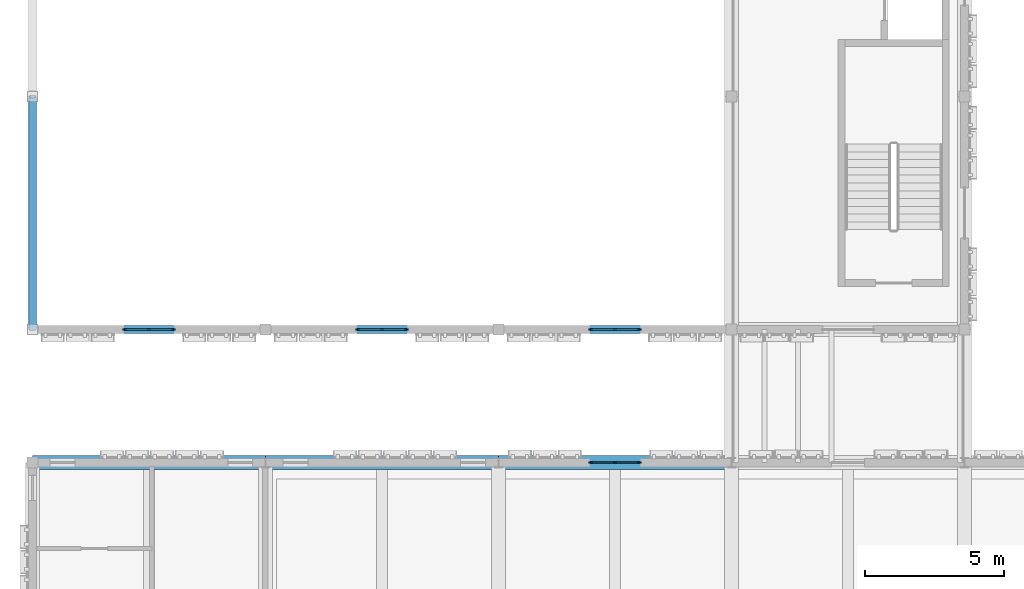
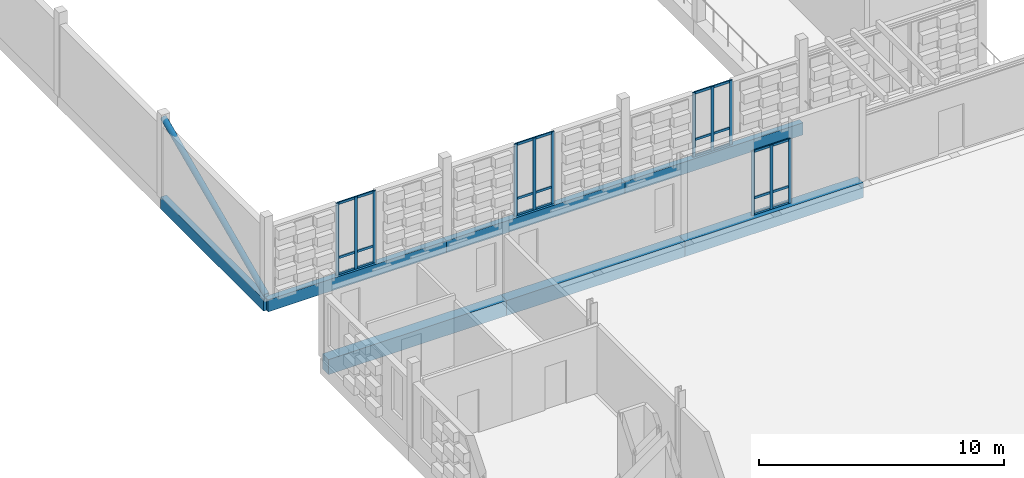
# One storey, part 17 of 99: 25 members, 7 beams, 4 elements without a shape of their own.
"""IFC4 building model written with IfcOpenShell, lengths in metres."""

from ifc_helpers import new_model, si_unit, direction, frame, origin, origin_2d, place, context, subcontext, project, spatial, rectangle, hollow_circle, extrude, material, material_profile, profile_set, type_object, element, aggregate, save


model = new_model("IFC4")

# Units and contexts
model_context = context("Model", 3, precision=1e-05, world=origin(), true_north=direction((0.0, 1.0)))
body_context = subcontext(model_context, "Body", "Model", "MODEL_VIEW")
ifc_project = project(units=[si_unit("LENGTHUNIT", "METRE"), si_unit("AREAUNIT", "SQUARE_METRE"), si_unit("VOLUMEUNIT", "CUBIC_METRE"), si_unit("PLANEANGLEUNIT", "RADIAN"), si_unit("MASSUNIT", "GRAM", prefix="KILO")], contexts=[model_context])

# Site, building, storey
site_placement = place(None, origin())
site = spatial("IfcSite", under=ifc_project, at=site_placement, CompositionType="ELEMENT")
building_placement = place(site_placement, origin())
building = spatial("IfcBuilding", under=site, at=building_placement, Name="Kahlenmark Community Centre", CompositionType="ELEMENT")
storey_placement = place(building_placement, frame((0.0, 0.0, 5.39990234375)))
storey = spatial("IfcBuildingStorey", under=building, at=storey_placement, Name="L01", CompositionType="ELEMENT", Elevation=5.39990234375)

# Beams
ifc_material_1 = material(Name="Glulam GL32h", Category="wood")
ifc_material_profile_1 = material_profile(ifc_material_1, rectangle(XDim=0.280029296875, YDim=0.60009765625, at=origin_2d()), Name="GL32h 280x600")
ifc_profile_set_1 = profile_set([ifc_material_profile_1], Name="Glulam GL32h")
beam_type_1 = type_object("IfcBeamType", Name="BT-SPANDREL-GL32h280x600", PredefinedType="SPANDREL", material=ifc_profile_set_1)
beam_1_placement = place(storey_placement, frame((4.0, 42.39990234375, -0.2998046875), z_axis=(1.0, 0.0, 0.0), x_axis=(0.0, 1.0, 0.0)))
element("IfcBeam", 1, at=beam_1_placement, inside=storey, type_object=beam_type_1, Name="L01 spandrel SP-GL32h280x600", PredefinedType="SPANDREL", context=body_context, shape_type="SweptSolid", body=[
    extrude(rectangle(XDim=0.280029296875, YDim=0.60009765625, at=origin_2d()), origin(), (0.0, 0.0, 1.0), 8.39990234375),
])
beam_2_placement = place(storey_placement, frame((12.39990234375, 42.39990234375, -0.2998046875), z_axis=(1.0, 0.0, 0.0), x_axis=(0.0, 1.0, 0.0)))
element("IfcBeam", 2, at=beam_2_placement, inside=storey, type_object=beam_type_1, Name="L01 spandrel SP-GL32h280x600", PredefinedType="SPANDREL", context=body_context, shape_type="SweptSolid", body=[
    extrude(rectangle(XDim=0.280029296875, YDim=0.60009765625, at=origin_2d()), origin(), (0.0, 0.0, 1.0), 8.400146484375),
])
beam_3_placement = place(storey_placement, frame((20.800048828125, 42.39990234375, -0.2998046875), z_axis=(1.0, 0.0, 0.0), x_axis=(0.0, 1.0, 0.0)))
element("IfcBeam", 3, at=beam_3_placement, inside=storey, type_object=beam_type_1, Name="L01 spandrel SP-GL32h280x600", PredefinedType="SPANDREL", context=body_context, shape_type="SweptSolid", body=[
    extrude(rectangle(XDim=0.280029296875, YDim=0.60009765625, at=origin_2d()), origin(), (0.0, 0.0, 1.0), 8.39990234375),
])
beam_4_placement = place(storey_placement, frame((4.0, 42.39990234375, -0.2998046875), z_axis=(0.0, 1.0, 0.0), x_axis=(-1.0, 0.0, 0.0)))
element("IfcBeam", 4, at=beam_4_placement, inside=storey, type_object=beam_type_1, Name="L01 spandrel SP-GL32h280x600", PredefinedType="SPANDREL", context=body_context, shape_type="SweptSolid", body=[
    extrude(rectangle(XDim=0.280029296875, YDim=0.60009765625, at=origin_2d()), origin(), (0.0, 0.0, 1.0), 8.400146484375),
])
ifc_material_2 = material(Name="Concrete C35/45", Category="concrete")
ifc_material_profile_2 = material_profile(ifc_material_2, rectangle(XDim=0.5, YDim=0.75, at=origin_2d()), Name="RC 500x750")
ifc_profile_set_2 = profile_set([ifc_material_profile_2], Name="Concrete C35/45")
beam_type_2 = type_object("IfcBeamType", Name="BT-SPANDREL-RC500x750", PredefinedType="SPANDREL", material=ifc_profile_set_2)
beam_5_placement = place(storey_placement, frame((4.0, 37.60009765625, -0.375), z_axis=(1.0, 0.0, 0.0), x_axis=(0.0, 1.0, 0.0)))
element("IfcBeam", 5, at=beam_5_placement, inside=storey, type_object=beam_type_2, Name="L01 spandrel SP-RC500x750", PredefinedType="SPANDREL", context=body_context, shape_type="SweptSolid", body=[
    extrude(rectangle(XDim=0.5, YDim=0.75, at=origin_2d()), origin(), (0.0, 0.0, 1.0), 8.39990234375),
])
beam_6_placement = place(storey_placement, frame((12.39990234375, 37.60009765625, -0.375), z_axis=(1.0, 0.0, 0.0), x_axis=(0.0, 1.0, 0.0)))
element("IfcBeam", 6, at=beam_6_placement, inside=storey, type_object=beam_type_2, Name="L01 spandrel SP-RC500x750", PredefinedType="SPANDREL", context=body_context, shape_type="SweptSolid", body=[
    extrude(rectangle(XDim=0.5, YDim=0.75, at=origin_2d()), origin(), (0.0, 0.0, 1.0), 8.400146484375),
])
beam_7_placement = place(storey_placement, frame((20.800048828125, 37.60009765625, -0.375), z_axis=(1.0, 0.0, 0.0), x_axis=(0.0, 1.0, 0.0)))
element("IfcBeam", 7, at=beam_7_placement, inside=storey, type_object=beam_type_2, Name="L01 spandrel SP-RC500x750", PredefinedType="SPANDREL", context=body_context, shape_type="SweptSolid", body=[
    extrude(rectangle(XDim=0.5, YDim=0.75, at=origin_2d()), origin(), (0.0, 0.0, 1.0), 8.39990234375),
])

# Member
ifc_material_3 = material(Name="Steel S355", Category="steel")
ifc_material_profile_3 = material_profile(ifc_material_3, hollow_circle(Radius=0.136474609375, WallThickness=0.010009765625, at=origin_2d()), Name="CHS 273x10")
ifc_profile_set_3 = profile_set([ifc_material_profile_3], Name="Steel S355")
member_type_1 = type_object("IfcMemberType", Name="MT-BRACE-CHS273x10", PredefinedType="BRACE", material=ifc_profile_set_3)
member_1_placement = place(storey_placement, frame((4.0, 42.39990234375, 0.150146484375), z_axis=(0.0, 0.913140528594, 0.407644912931), x_axis=(-1.0, 0.0, 0.0)))
element("IfcMember", 8, at=member_1_placement, inside=storey, type_object=member_type_1, Name="L01 brace BF-DIAG", PredefinedType="BRACE", context=body_context, shape_type="SweptSolid", body=[
    extrude(hollow_circle(Radius=0.136474609375, WallThickness=0.010009765625, at=origin_2d()), origin(), (0.0, 0.0, 1.0), 9.19921875),
])

# Curtain wall, members
ifc_material_4 = material(Name="Anodised aluminium unitised curtain wall", Category="aluminium")
curtain_wall_type_1 = type_object("IfcCurtainWallType", Name="CWT-UNIT-180X321", PredefinedType="USERDEFINED", material=ifc_material_4)
curtain_wall_1_placement = place(storey_placement, origin())
curtain_wall_1 = element("IfcCurtainWall", 9, at=curtain_wall_1_placement, inside=storey, type_object=curtain_wall_type_1, Name="Unitised curtain wall CW-004", ObjectType="UNITISED CURTAIN WALL", PredefinedType="USERDEFINED")
ifc_material_5 = material(Name="Anodised aluminium 6063-T6", Category="aluminium")
ifc_material_profile_4 = material_profile(ifc_material_5, rectangle(XDim=0.06005859375, YDim=0.139892578125, at=origin_2d()), Name="ALU MULLION 60x140")
ifc_profile_set_4 = profile_set([ifc_material_profile_4], Name="Anodised aluminium 6063-T6")
member_type_2 = type_object("IfcMemberType", Name="MT-MUL-140", PredefinedType="MULLION", material=ifc_profile_set_4)
member_2_placement = place(storey_placement, frame((25.8701171875, 37.60009765625, 0.0), z_axis=(0.0, 0.0, 1.0), x_axis=(0.0, -1.0, 0.0)))
member_2 = element("IfcMember", 10, at=member_2_placement, type_object=member_type_2, Name="CW-004 mullion 1", PredefinedType="MULLION", context=body_context, shape_type="SweptSolid", body=[
    extrude(rectangle(XDim=0.06005859375, YDim=0.139892578125, at=origin_2d()), origin(), (0.0, 0.0, 1.0), 3.210205078125),
])
member_3_placement = place(storey_placement, frame((25.0, 37.60009765625, 0.0), z_axis=(0.0, 0.0, 1.0), x_axis=(0.0, -1.0, 0.0)))
member_3 = element("IfcMember", 11, at=member_3_placement, type_object=member_type_2, Name="CW-004 mullion 2", PredefinedType="MULLION", context=body_context, shape_type="SweptSolid", body=[
    extrude(rectangle(XDim=0.06005859375, YDim=0.139892578125, at=origin_2d()), origin(), (0.0, 0.0, 1.0), 3.210205078125),
])
member_4_placement = place(storey_placement, frame((24.1298828125, 37.60009765625, 0.0), z_axis=(0.0, 0.0, 1.0), x_axis=(0.0, -1.0, 0.0)))
member_4 = element("IfcMember", 12, at=member_4_placement, type_object=member_type_2, Name="CW-004 mullion 3", PredefinedType="MULLION", context=body_context, shape_type="SweptSolid", body=[
    extrude(rectangle(XDim=0.06005859375, YDim=0.139892578125, at=origin_2d()), origin(), (0.0, 0.0, 1.0), 3.210205078125),
])

curtain_wall_type_2 = type_object("IfcCurtainWallType", Name="CWT-UNIT-180X359", PredefinedType="USERDEFINED", material=ifc_material_4)
curtain_wall_2_placement = place(storey_placement, origin())
curtain_wall_2 = element("IfcCurtainWall", 13, at=curtain_wall_2_placement, inside=storey, type_object=curtain_wall_type_2, Name="Unitised curtain wall CW-009", ObjectType="UNITISED CURTAIN WALL", PredefinedType="USERDEFINED")
member_5_placement = place(storey_placement, frame((7.330078125, 42.39990234375, 0.0), z_axis=(0.0, 0.0, 1.0), x_axis=(0.0, 1.0, 0.0)))
member_5 = element("IfcMember", 14, at=member_5_placement, type_object=member_type_2, Name="CW-009 mullion 1", PredefinedType="MULLION", context=body_context, shape_type="SweptSolid", body=[
    extrude(rectangle(XDim=0.06005859375, YDim=0.139892578125, at=origin_2d()), origin(), (0.0, 0.0, 1.0), 3.590087890625),
])
member_6_placement = place(storey_placement, frame((8.199951171875, 42.39990234375, 0.0), z_axis=(0.0, 0.0, 1.0), x_axis=(0.0, 1.0, 0.0)))
member_6 = element("IfcMember", 15, at=member_6_placement, type_object=member_type_2, Name="CW-009 mullion 2", PredefinedType="MULLION", context=body_context, shape_type="SweptSolid", body=[
    extrude(rectangle(XDim=0.06005859375, YDim=0.139892578125, at=origin_2d()), origin(), (0.0, 0.0, 1.0), 3.590087890625),
])
member_7_placement = place(storey_placement, frame((9.070068359375, 42.39990234375, 0.0), z_axis=(0.0, 0.0, 1.0), x_axis=(0.0, 1.0, 0.0)))
member_7 = element("IfcMember", 16, at=member_7_placement, type_object=member_type_2, Name="CW-009 mullion 3", PredefinedType="MULLION", context=body_context, shape_type="SweptSolid", body=[
    extrude(rectangle(XDim=0.06005859375, YDim=0.139892578125, at=origin_2d()), origin(), (0.0, 0.0, 1.0), 3.590087890625),
])

curtain_wall_3_placement = place(storey_placement, origin())
curtain_wall_3 = element("IfcCurtainWall", 17, at=curtain_wall_3_placement, inside=storey, type_object=curtain_wall_type_2, Name="Unitised curtain wall CW-010", ObjectType="UNITISED CURTAIN WALL", PredefinedType="USERDEFINED")
member_8_placement = place(storey_placement, frame((15.72998046875, 42.39990234375, 0.0), z_axis=(0.0, 0.0, 1.0), x_axis=(0.0, 1.0, 0.0)))
member_8 = element("IfcMember", 18, at=member_8_placement, type_object=member_type_2, Name="CW-010 mullion 1", PredefinedType="MULLION", context=body_context, shape_type="SweptSolid", body=[
    extrude(rectangle(XDim=0.06005859375, YDim=0.139892578125, at=origin_2d()), origin(), (0.0, 0.0, 1.0), 3.590087890625),
])
member_9_placement = place(storey_placement, frame((16.60009765625, 42.39990234375, 0.0), z_axis=(0.0, 0.0, 1.0), x_axis=(0.0, 1.0, 0.0)))
member_9 = element("IfcMember", 19, at=member_9_placement, type_object=member_type_2, Name="CW-010 mullion 2", PredefinedType="MULLION", context=body_context, shape_type="SweptSolid", body=[
    extrude(rectangle(XDim=0.06005859375, YDim=0.139892578125, at=origin_2d()), origin(), (0.0, 0.0, 1.0), 3.590087890625),
])
member_10_placement = place(storey_placement, frame((17.469970703125, 42.39990234375, 0.0), z_axis=(0.0, 0.0, 1.0), x_axis=(0.0, 1.0, 0.0)))
member_10 = element("IfcMember", 20, at=member_10_placement, type_object=member_type_2, Name="CW-010 mullion 3", PredefinedType="MULLION", context=body_context, shape_type="SweptSolid", body=[
    extrude(rectangle(XDim=0.06005859375, YDim=0.139892578125, at=origin_2d()), origin(), (0.0, 0.0, 1.0), 3.590087890625),
])

curtain_wall_4_placement = place(storey_placement, origin())
curtain_wall_4 = element("IfcCurtainWall", 21, at=curtain_wall_4_placement, inside=storey, type_object=curtain_wall_type_1, Name="Unitised curtain wall CW-011", ObjectType="UNITISED CURTAIN WALL", PredefinedType="USERDEFINED")
member_11_placement = place(storey_placement, frame((24.1298828125, 42.39990234375, 0.0), z_axis=(0.0, 0.0, 1.0), x_axis=(0.0, 1.0, 0.0)))
member_11 = element("IfcMember", 22, at=member_11_placement, type_object=member_type_2, Name="CW-011 mullion 1", PredefinedType="MULLION", context=body_context, shape_type="SweptSolid", body=[
    extrude(rectangle(XDim=0.06005859375, YDim=0.139892578125, at=origin_2d()), origin(), (0.0, 0.0, 1.0), 3.210205078125),
])
member_12_placement = place(storey_placement, frame((25.0, 42.39990234375, 0.0), z_axis=(0.0, 0.0, 1.0), x_axis=(0.0, 1.0, 0.0)))
member_12 = element("IfcMember", 23, at=member_12_placement, type_object=member_type_2, Name="CW-011 mullion 2", PredefinedType="MULLION", context=body_context, shape_type="SweptSolid", body=[
    extrude(rectangle(XDim=0.06005859375, YDim=0.139892578125, at=origin_2d()), origin(), (0.0, 0.0, 1.0), 3.210205078125),
])
member_13_placement = place(storey_placement, frame((25.8701171875, 42.39990234375, 0.0), z_axis=(0.0, 0.0, 1.0), x_axis=(0.0, 1.0, 0.0)))
member_13 = element("IfcMember", 24, at=member_13_placement, type_object=member_type_2, Name="CW-011 mullion 3", PredefinedType="MULLION", context=body_context, shape_type="SweptSolid", body=[
    extrude(rectangle(XDim=0.06005859375, YDim=0.139892578125, at=origin_2d()), origin(), (0.0, 0.0, 1.0), 3.210205078125),
])

# Member
ifc_material_profile_5 = material_profile(ifc_material_5, rectangle(XDim=0.06005859375, YDim=0.1201171875, at=origin_2d()), Name="ALU TRANSOM 60x120")
ifc_profile_set_5 = profile_set([ifc_material_profile_5], Name="Anodised aluminium 6063-T6")
member_type_3 = type_object("IfcMemberType", Name="MT-TRN-120", PredefinedType="USERDEFINED", material=ifc_profile_set_5)
member_14_placement = place(storey_placement, frame((25.8701171875, 37.60009765625, 0.0400390625), z_axis=(-1.0, 0.0, 0.0), x_axis=(0.0, -1.0, 0.0)))
member_14 = element("IfcMember", 25, at=member_14_placement, type_object=member_type_3, Name="CW-004 transom 1", ObjectType="TRANSOM", PredefinedType="USERDEFINED", context=body_context, shape_type="SweptSolid", body=[
    extrude(rectangle(XDim=0.06005859375, YDim=0.1201171875, at=origin_2d()), origin(), (0.0, 0.0, 1.0), 1.740234375),
])

member_15_placement = place(storey_placement, frame((25.8701171875, 37.60009765625, 0.85009765625), z_axis=(-1.0, 0.0, 0.0), x_axis=(0.0, -1.0, 0.0)))
member_15 = element("IfcMember", 26, at=member_15_placement, type_object=member_type_3, Name="CW-004 transom 2", ObjectType="TRANSOM", PredefinedType="USERDEFINED", context=body_context, shape_type="SweptSolid", body=[
    extrude(rectangle(XDim=0.06005859375, YDim=0.1201171875, at=origin_2d()), origin(), (0.0, 0.0, 1.0), 1.740234375),
])

member_16_placement = place(storey_placement, frame((25.8701171875, 37.60009765625, 3.170166015625), z_axis=(-1.0, 0.0, 0.0), x_axis=(0.0, -1.0, 0.0)))
member_16 = element("IfcMember", 27, at=member_16_placement, type_object=member_type_3, Name="CW-004 transom 3", ObjectType="TRANSOM", PredefinedType="USERDEFINED", context=body_context, shape_type="SweptSolid", body=[
    extrude(rectangle(XDim=0.06005859375, YDim=0.1201171875, at=origin_2d()), origin(), (0.0, 0.0, 1.0), 1.740234375),
])

aggregate(curtain_wall_1, [member_2, member_3, member_4, member_14, member_15, member_16])

member_17_placement = place(storey_placement, frame((7.330078125, 42.39990234375, 0.0400390625), z_axis=(1.0, 0.0, 0.0), x_axis=(0.0, 1.0, 0.0)))
member_17 = element("IfcMember", 28, at=member_17_placement, type_object=member_type_3, Name="CW-009 transom 1", ObjectType="TRANSOM", PredefinedType="USERDEFINED", context=body_context, shape_type="SweptSolid", body=[
    extrude(rectangle(XDim=0.06005859375, YDim=0.1201171875, at=origin_2d()), origin(), (0.0, 0.0, 1.0), 1.739990234375),
])

member_18_placement = place(storey_placement, frame((7.330078125, 42.39990234375, 0.85009765625), z_axis=(1.0, 0.0, 0.0), x_axis=(0.0, 1.0, 0.0)))
member_18 = element("IfcMember", 29, at=member_18_placement, type_object=member_type_3, Name="CW-009 transom 2", ObjectType="TRANSOM", PredefinedType="USERDEFINED", context=body_context, shape_type="SweptSolid", body=[
    extrude(rectangle(XDim=0.06005859375, YDim=0.1201171875, at=origin_2d()), origin(), (0.0, 0.0, 1.0), 1.739990234375),
])

member_19_placement = place(storey_placement, frame((7.330078125, 42.39990234375, 3.550048828125), z_axis=(1.0, 0.0, 0.0), x_axis=(0.0, 1.0, 0.0)))
member_19 = element("IfcMember", 30, at=member_19_placement, type_object=member_type_3, Name="CW-009 transom 3", ObjectType="TRANSOM", PredefinedType="USERDEFINED", context=body_context, shape_type="SweptSolid", body=[
    extrude(rectangle(XDim=0.06005859375, YDim=0.1201171875, at=origin_2d()), origin(), (0.0, 0.0, 1.0), 1.739990234375),
])

aggregate(curtain_wall_2, [member_5, member_6, member_7, member_17, member_18, member_19])

member_20_placement = place(storey_placement, frame((15.72998046875, 42.39990234375, 0.0400390625), z_axis=(1.0, 0.0, 0.0), x_axis=(0.0, 1.0, 0.0)))
member_20 = element("IfcMember", 31, at=member_20_placement, type_object=member_type_3, Name="CW-010 transom 1", ObjectType="TRANSOM", PredefinedType="USERDEFINED", context=body_context, shape_type="SweptSolid", body=[
    extrude(rectangle(XDim=0.06005859375, YDim=0.1201171875, at=origin_2d()), origin(), (0.0, 0.0, 1.0), 1.739990234375),
])

member_21_placement = place(storey_placement, frame((15.72998046875, 42.39990234375, 0.85009765625), z_axis=(1.0, 0.0, 0.0), x_axis=(0.0, 1.0, 0.0)))
member_21 = element("IfcMember", 32, at=member_21_placement, type_object=member_type_3, Name="CW-010 transom 2", ObjectType="TRANSOM", PredefinedType="USERDEFINED", context=body_context, shape_type="SweptSolid", body=[
    extrude(rectangle(XDim=0.06005859375, YDim=0.1201171875, at=origin_2d()), origin(), (0.0, 0.0, 1.0), 1.739990234375),
])

member_22_placement = place(storey_placement, frame((15.72998046875, 42.39990234375, 3.550048828125), z_axis=(1.0, 0.0, 0.0), x_axis=(0.0, 1.0, 0.0)))
member_22 = element("IfcMember", 33, at=member_22_placement, type_object=member_type_3, Name="CW-010 transom 3", ObjectType="TRANSOM", PredefinedType="USERDEFINED", context=body_context, shape_type="SweptSolid", body=[
    extrude(rectangle(XDim=0.06005859375, YDim=0.1201171875, at=origin_2d()), origin(), (0.0, 0.0, 1.0), 1.739990234375),
])

aggregate(curtain_wall_3, [member_8, member_9, member_10, member_20, member_21, member_22])

member_23_placement = place(storey_placement, frame((24.1298828125, 42.39990234375, 0.0400390625), z_axis=(1.0, 0.0, 0.0), x_axis=(0.0, 1.0, 0.0)))
member_23 = element("IfcMember", 34, at=member_23_placement, type_object=member_type_3, Name="CW-011 transom 1", ObjectType="TRANSOM", PredefinedType="USERDEFINED", context=body_context, shape_type="SweptSolid", body=[
    extrude(rectangle(XDim=0.06005859375, YDim=0.1201171875, at=origin_2d()), origin(), (0.0, 0.0, 1.0), 1.740234375),
])

member_24_placement = place(storey_placement, frame((24.1298828125, 42.39990234375, 0.85009765625), z_axis=(1.0, 0.0, 0.0), x_axis=(0.0, 1.0, 0.0)))
member_24 = element("IfcMember", 35, at=member_24_placement, type_object=member_type_3, Name="CW-011 transom 2", ObjectType="TRANSOM", PredefinedType="USERDEFINED", context=body_context, shape_type="SweptSolid", body=[
    extrude(rectangle(XDim=0.06005859375, YDim=0.1201171875, at=origin_2d()), origin(), (0.0, 0.0, 1.0), 1.740234375),
])

member_25_placement = place(storey_placement, frame((24.1298828125, 42.39990234375, 3.170166015625), z_axis=(1.0, 0.0, 0.0), x_axis=(0.0, 1.0, 0.0)))
member_25 = element("IfcMember", 36, at=member_25_placement, type_object=member_type_3, Name="CW-011 transom 3", ObjectType="TRANSOM", PredefinedType="USERDEFINED", context=body_context, shape_type="SweptSolid", body=[
    extrude(rectangle(XDim=0.06005859375, YDim=0.1201171875, at=origin_2d()), origin(), (0.0, 0.0, 1.0), 1.740234375),
])

aggregate(curtain_wall_4, [member_11, member_12, member_13, member_23, member_24, member_25])

save(model, "model.ifc")
